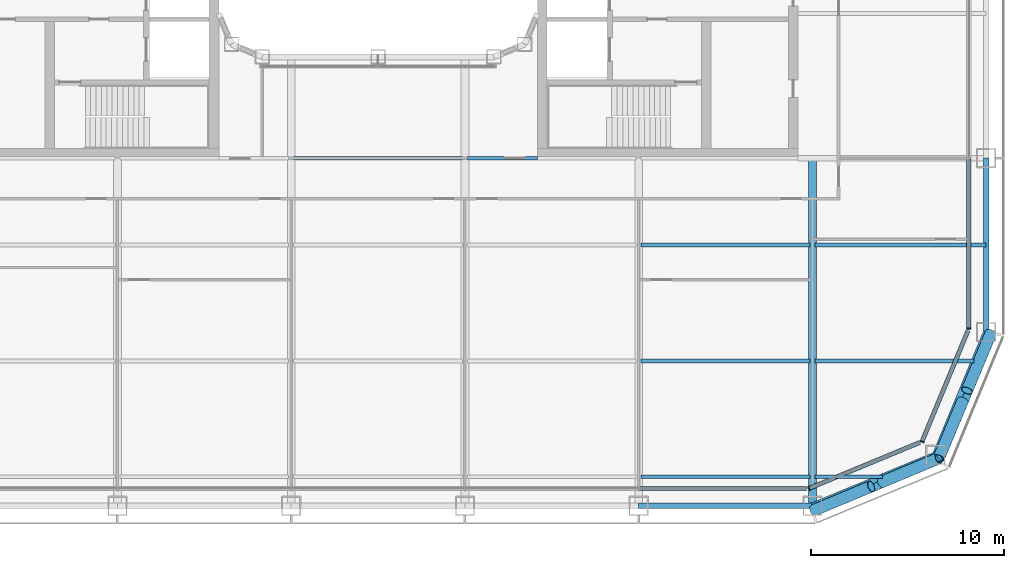
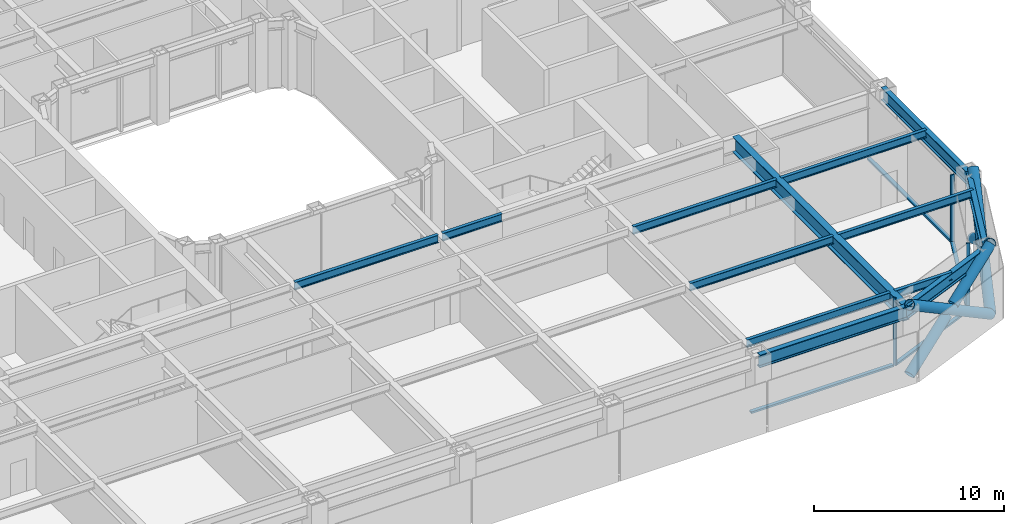
# One storey, part 4 of 25: 13 beams, 13 members, 4 elements without a shape of their own.
"""IFC4 building model written with IfcOpenShell, lengths in metres."""

from ifc_helpers import new_model, si_unit, direction, frame, origin, origin_2d, place, context, subcontext, project, spatial, rectangle, hollow_circle, i_section, extrude, material, layer, layer_set, material_profile, profile_set, type_object, element, aggregate, save


model = new_model("IFC4")

# Units and contexts
model_context = context("Model", 3, precision=1e-05, world=origin(), true_north=direction((0.0, 1.0)))
body_context = subcontext(model_context, "Body", "Model", "MODEL_VIEW")
ifc_project = project(units=[si_unit("LENGTHUNIT", "METRE"), si_unit("AREAUNIT", "SQUARE_METRE"), si_unit("VOLUMEUNIT", "CUBIC_METRE"), si_unit("PLANEANGLEUNIT", "RADIAN"), si_unit("MASSUNIT", "GRAM", prefix="KILO")], contexts=[model_context])

# Site, building, storey
site_placement = place(None, origin())
site = spatial("IfcSite", under=ifc_project, at=site_placement, CompositionType="ELEMENT")
building_placement = place(site_placement, origin())
building = spatial("IfcBuilding", under=site, at=building_placement, Name="Siwar Civic Tower", CompositionType="ELEMENT")
storey_placement = place(building_placement, frame((0.0, 0.0, 58.199951171875)))
storey = spatial("IfcBuildingStorey", under=building, at=storey_placement, Name="L12", CompositionType="ELEMENT", Elevation=58.199951171875)

# Curtain wall, member
ifc_material_1 = material(Name="Aluminium clad insulated panel", Category="aluminium")
ifc_layer_1 = layer(ifc_material_1, 0.219970703125)
ifc_layer_set_1 = layer_set([ifc_layer_1], Name="Aluminium clad insulated panel")
curtain_wall_type_1 = type_object("IfcCurtainWallType", Name="ENV-CW-AX", PredefinedType="NOTDEFINED", material=ifc_layer_set_1)
curtain_wall_1_placement = place(storey_placement, origin())
curtain_wall_1 = element("IfcCurtainWall", 1, at=curtain_wall_1_placement, inside=storey, type_object=curtain_wall_type_1, Name="Curtain wall A SE1", PredefinedType="NOTDEFINED")
ifc_material_2 = material(Name="Aluminium 6063-T6", Category="aluminium")
ifc_material_profile_1 = material_profile(ifc_material_2, rectangle(XDim=0.219970703125, YDim=0.070068359375, at=origin_2d()), Name="AL 220x70")
ifc_profile_set_1 = profile_set([ifc_material_profile_1], Name="Aluminium 6063-T6")
member_type_1 = type_object("IfcMemberType", Name="ENV-MULLION-A", PredefinedType="MULLION", material=ifc_profile_set_1)
member_1_placement = place(storey_placement, frame((22.321044921875, -30.60009765625, 0.0), z_axis=(0.0, 0.0, 1.0), x_axis=(-0.382683432365, 0.923879532511, 0.0)))
member_1 = element("IfcMember", 2, at=member_1_placement, type_object=member_type_1, Name="Mullion A SE1 1", PredefinedType="MULLION", context=body_context, shape_type="SweptSolid", body=[
    extrude(rectangle(XDim=0.219970703125, YDim=0.070068359375, at=origin_2d()), origin(), (0.0, 0.0, 1.0), 4.35009765625),
])

curtain_wall_2_placement = place(storey_placement, origin())
curtain_wall_2 = element("IfcCurtainWall", 3, at=curtain_wall_2_placement, inside=storey, type_object=curtain_wall_type_1, Name="Curtain wall A SE2", PredefinedType="NOTDEFINED")
member_2_placement = place(storey_placement, frame((28.175048828125, -28.175048828125, 0.0), z_axis=(0.0, 0.0, 1.0), x_axis=(-0.923879532511, 0.382683432365, 0.0)))
member_2 = element("IfcMember", 4, at=member_2_placement, type_object=member_type_1, Name="Mullion A SE2 1", PredefinedType="MULLION", context=body_context, shape_type="SweptSolid", body=[
    extrude(rectangle(XDim=0.219970703125, YDim=0.070068359375, at=origin_2d()), origin(), (0.0, 0.0, 1.0), 4.35009765625),
])

ifc_material_3 = material(Name="Aluminium and glass", Category="aluminium")
ifc_layer_2 = layer(ifc_material_3, 0.219970703125)
ifc_layer_set_2 = layer_set([ifc_layer_2], Name="Aluminium and glass")
curtain_wall_type_2 = type_object("IfcCurtainWallType", Name="ENV-CW-A", PredefinedType="NOTDEFINED", material=ifc_layer_set_2)
curtain_wall_3_placement = place(storey_placement, origin())
curtain_wall_3 = element("IfcCurtainWall", 5, at=curtain_wall_3_placement, inside=storey, type_object=curtain_wall_type_2, Name="Curtain wall A E", PredefinedType="NOTDEFINED")
member_3_placement = place(storey_placement, frame((30.60009765625, -22.321044921875, 0.0), z_axis=(0.0, 0.0, 1.0), x_axis=(-1.0, 0.0, 0.0)))
member_3 = element("IfcMember", 6, at=member_3_placement, type_object=member_type_1, Name="Mullion A E 1", PredefinedType="MULLION", context=body_context, shape_type="SweptSolid", body=[
    extrude(rectangle(XDim=0.219970703125, YDim=0.070068359375, at=origin_2d()), origin(), (0.0, 0.0, 1.0), 4.35009765625),
])

curtain_wall_4_placement = place(storey_placement, origin())
curtain_wall_4 = element("IfcCurtainWall", 7, at=curtain_wall_4_placement, inside=storey, type_object=curtain_wall_type_2, Name="Curtain wall A S", PredefinedType="NOTDEFINED")
ifc_material_4 = material(Name="Aluminium 6063-T6", Category="aluminium")
ifc_material_profile_2 = material_profile(ifc_material_4, rectangle(XDim=0.219970703125, YDim=0.1201171875, at=origin_2d()), Name="AL 220x120")
ifc_profile_set_2 = profile_set([ifc_material_profile_2], Name="Aluminium 6063-T6")
member_type_2 = type_object("IfcMemberType", Name="ENV-TRANSOM-A", PredefinedType="USERDEFINED", material=ifc_profile_set_2)
member_4_placement = place(storey_placement, frame((13.534912109375, -30.60009765625, 0.06005859375), z_axis=(1.0, 0.0, 0.0), x_axis=(0.0, 1.0, 0.0)))
member_4 = element("IfcMember", 8, at=member_4_placement, type_object=member_type_2, Name="Transom A S 5", ObjectType="TRANSOM", PredefinedType="USERDEFINED", context=body_context, shape_type="SweptSolid", body=[
    extrude(rectangle(XDim=0.219970703125, YDim=0.1201171875, at=origin_2d()), origin(), (0.0, 0.0, 1.0), 8.66357421875),
])
aggregate(curtain_wall_4, [member_4])

# Member
member_5_placement = place(storey_placement, frame((22.353271484375, -30.586669921875, 0.06005859375), z_axis=(0.923873326341, 0.382698415042, 0.0), x_axis=(-0.382698415042, 0.923873326341, 0.0)))
member_5 = element("IfcMember", 9, at=member_5_placement, type_object=member_type_2, Name="Transom A SE1 1", ObjectType="TRANSOM", PredefinedType="USERDEFINED", context=body_context, shape_type="SweptSolid", body=[
    extrude(rectangle(XDim=0.219970703125, YDim=0.1201171875, at=origin_2d()), origin(), (0.0, 0.0, 1.0), 6.17919921875),
])

aggregate(curtain_wall_1, [member_1, member_5])

member_6_placement = place(storey_placement, frame((28.1884765625, -28.142822265625, 0.06005859375), z_axis=(0.382698415042, 0.923873326341, 0.0), x_axis=(-0.923873326341, 0.382698415042, 0.0)))
member_6 = element("IfcMember", 10, at=member_6_placement, type_object=member_type_2, Name="Transom A SE2 1", ObjectType="TRANSOM", PredefinedType="USERDEFINED", context=body_context, shape_type="SweptSolid", body=[
    extrude(rectangle(XDim=0.219970703125, YDim=0.1201171875, at=origin_2d()), origin(), (0.0, 0.0, 1.0), 6.17919921875),
])

aggregate(curtain_wall_2, [member_2, member_6])

member_7_placement = place(storey_placement, frame((30.60009765625, -22.285888671875, 0.06005859375), z_axis=(0.0, 1.0, 0.0), x_axis=(-1.0, 0.0, 0.0)))
member_7 = element("IfcMember", 11, at=member_7_placement, type_object=member_type_2, Name="Transom A E 1", ObjectType="TRANSOM", PredefinedType="USERDEFINED", context=body_context, shape_type="SweptSolid", body=[
    extrude(rectangle(XDim=0.219970703125, YDim=0.1201171875, at=origin_2d()), origin(), (0.0, 0.0, 1.0), 8.7509765625),
])

aggregate(curtain_wall_3, [member_3, member_7])

# Members
ifc_material_5 = material(Name="Steel S355", Category="steel")
ifc_material_profile_3 = material_profile(ifc_material_5, hollow_circle(Radius=0.304931640625, WallThickness=0.030029296875, at=origin_2d()), Name="CHS610x30")
ifc_profile_set_3 = profile_set([ifc_material_profile_3], Name="Steel S355")
member_type_3 = type_object("IfcMemberType", Name="STR-BR-CHS610x30", PredefinedType="BRACE", material=ifc_profile_set_3)
member_8_placement = place(storey_placement, frame((29.040771484375, -29.040771484375, 0.0), z_axis=(0.323905527954, 0.777554562952, 0.538975055633), x_axis=(-0.923108759191, 0.384538969033, 0.0)))
element("IfcMember", 12, at=member_8_placement, inside=storey, type_object=member_type_3, Name="L12/brc/ASE1-11-0-1", PredefinedType="BRACE", context=body_context, shape_type="SweptSolid", body=[
    extrude(hollow_circle(Radius=0.304931640625, WallThickness=0.030029296875, at=origin_2d()), origin(), (0.0, 0.0, 1.0), 8.34912109375),
])
member_9_placement = place(storey_placement, frame((31.7451171875, -22.548828125, 0.0), z_axis=(-0.323882123145, -0.777533059308, 0.539020140617), x_axis=(0.923114847559, -0.384524353215, 0.0)))
element("IfcMember", 13, at=member_9_placement, inside=storey, type_object=member_type_3, Name="L12/brc/ASE1-11-0-2", PredefinedType="BRACE", context=body_context, shape_type="SweptSolid", body=[
    extrude(hollow_circle(Radius=0.304931640625, WallThickness=0.030029296875, at=origin_2d()), origin(), (0.0, 0.0, 1.0), 3.843505859375),
])
member_10_placement = place(storey_placement, frame((30.285888671875, -26.052001953125, 2.428466796875), z_axis=(-0.323934068367, -0.777568797048, 0.538937366685), x_axis=(0.923099230484, -0.384561842466, 0.0)))
element("IfcMember", 14, at=member_10_placement, inside=storey, type_object=member_type_3, Name="L12/brc/ASE1-11-0-3", PredefinedType="BRACE", context=body_context, shape_type="SweptSolid", body=[
    extrude(hollow_circle(Radius=0.304931640625, WallThickness=0.030029296875, at=origin_2d()), origin(), (0.0, 0.0, 1.0), 3.84375),
])
member_11_placement = place(storey_placement, frame((29.040771484375, -29.040771484375, 0.0), z_axis=(-0.777554562952, -0.323905527954, 0.538975055633), x_axis=(0.384538969033, -0.923108759191, 0.0)))
element("IfcMember", 15, at=member_11_placement, inside=storey, type_object=member_type_3, Name="L12/brc/ASE1-11-0-0", PredefinedType="BRACE", context=body_context, shape_type="SweptSolid", body=[
    extrude(hollow_circle(Radius=0.304931640625, WallThickness=0.030029296875, at=origin_2d()), origin(), (0.0, 0.0, 1.0), 8.34912109375),
])
member_12_placement = place(storey_placement, frame((22.548828125, -31.7451171875, 0.0), z_axis=(0.777533059308, 0.323882123145, 0.539020140617), x_axis=(-0.384524353215, 0.923114847559, 0.0)))
element("IfcMember", 16, at=member_12_placement, inside=storey, type_object=member_type_3, Name="L12/brc/ASE1-11-0-4", PredefinedType="BRACE", context=body_context, shape_type="SweptSolid", body=[
    extrude(hollow_circle(Radius=0.304931640625, WallThickness=0.030029296875, at=origin_2d()), origin(), (0.0, 0.0, 1.0), 3.843505859375),
])
member_13_placement = place(storey_placement, frame((26.052001953125, -30.285888671875, 2.428466796875), z_axis=(0.777568797048, 0.323934068367, 0.538937366685), x_axis=(-0.384561842466, 0.923099230484, 0.0)))
element("IfcMember", 17, at=member_13_placement, inside=storey, type_object=member_type_3, Name="L12/brc/ASE1-11-0-5", PredefinedType="BRACE", context=body_context, shape_type="SweptSolid", body=[
    extrude(hollow_circle(Radius=0.304931640625, WallThickness=0.030029296875, at=origin_2d()), origin(), (0.0, 0.0, 1.0), 3.84375),
])

# Beams
ifc_material_6 = material(Name="Steel S355", Category="steel")
ifc_material_profile_4 = material_profile(ifc_material_6, i_section(OverallWidth=0.199951171875, OverallDepth=0.5, WebThickness=0.01025390625, FlangeThickness=0.01611328125, FilletRadius=0.02099609375, at=origin_2d()), Name="IPE500")
ifc_profile_set_4 = profile_set([ifc_material_profile_4], Name="Steel S355")
beam_type_1 = type_object("IfcBeamType", Name="STR-FB-IPE500", PredefinedType="JOIST", material=ifc_profile_set_4)
beam_1_placement = place(storey_placement, frame((13.6298828125, -30.0, 4.10009765625), z_axis=(1.0, 0.0, 0.0), x_axis=(0.0, 1.0, 0.0)))
element("IfcBeam", 18, at=beam_1_placement, inside=storey, type_object=beam_type_1, Name="L12/bm/F006", PredefinedType="JOIST", context=body_context, shape_type="SweptSolid", body=[
    extrude(i_section(OverallWidth=0.199951171875, OverallDepth=0.5, WebThickness=0.01025390625, FlangeThickness=0.01611328125, FilletRadius=0.02099609375, at=origin_2d()), origin(), (0.0, 0.0, 1.0), 8.740234375),
])
beam_2_placement = place(storey_placement, frame((22.6298828125, -30.0, 4.10009765625), z_axis=(1.0, 0.0, 0.0), x_axis=(0.0, 1.0, 0.0)))
element("IfcBeam", 19, at=beam_2_placement, inside=storey, type_object=beam_type_1, Name="L12/bm/F007", PredefinedType="JOIST", context=body_context, shape_type="SweptSolid", body=[
    extrude(i_section(OverallWidth=0.199951171875, OverallDepth=0.5, WebThickness=0.01025390625, FlangeThickness=0.01611328125, FilletRadius=0.02099609375, at=origin_2d()), origin(), (0.0, 0.0, 1.0), 3.491455078125),
])
beam_3_placement = place(storey_placement, frame((13.6298828125, -24.0, 4.10009765625), z_axis=(1.0, 0.0, 0.0), x_axis=(0.0, 1.0, 0.0)))
element("IfcBeam", 20, at=beam_3_placement, inside=storey, type_object=beam_type_1, Name="L12/bm/F013", PredefinedType="JOIST", context=body_context, shape_type="SweptSolid", body=[
    extrude(i_section(OverallWidth=0.199951171875, OverallDepth=0.5, WebThickness=0.01025390625, FlangeThickness=0.01611328125, FilletRadius=0.02099609375, at=origin_2d()), origin(), (0.0, 0.0, 1.0), 8.740234375),
])
beam_4_placement = place(storey_placement, frame((22.6298828125, -24.0, 4.10009765625), z_axis=(1.0, 0.0, 0.0), x_axis=(0.0, 1.0, 0.0)))
element("IfcBeam", 21, at=beam_4_placement, inside=storey, type_object=beam_type_1, Name="L12/bm/F014", PredefinedType="JOIST", context=body_context, shape_type="SweptSolid", body=[
    extrude(i_section(OverallWidth=0.199951171875, OverallDepth=0.5, WebThickness=0.01025390625, FlangeThickness=0.01611328125, FilletRadius=0.02099609375, at=origin_2d()), origin(), (0.0, 0.0, 1.0), 8.248779296875),
])
beam_5_placement = place(storey_placement, frame((13.6298828125, -18.0, 4.10009765625), z_axis=(1.0, 0.0, 0.0), x_axis=(0.0, 1.0, 0.0)))
element("IfcBeam", 22, at=beam_5_placement, inside=storey, type_object=beam_type_1, Name="L12/bm/F020", PredefinedType="JOIST", context=body_context, shape_type="SweptSolid", body=[
    extrude(i_section(OverallWidth=0.199951171875, OverallDepth=0.5, WebThickness=0.01025390625, FlangeThickness=0.01611328125, FilletRadius=0.02099609375, at=origin_2d()), origin(), (0.0, 0.0, 1.0), 8.740234375),
])
beam_6_placement = place(storey_placement, frame((22.6298828125, -18.0, 4.10009765625), z_axis=(1.0, 0.0, 0.0), x_axis=(0.0, 1.0, 0.0)))
element("IfcBeam", 23, at=beam_6_placement, inside=storey, type_object=beam_type_1, Name="L12/bm/F021", PredefinedType="JOIST", context=body_context, shape_type="SweptSolid", body=[
    extrude(i_section(OverallWidth=0.199951171875, OverallDepth=0.5, WebThickness=0.01025390625, FlangeThickness=0.01611328125, FilletRadius=0.02099609375, at=origin_2d()), origin(), (0.0, 0.0, 1.0), 8.8701171875),
])
beam_7_placement = place(storey_placement, frame((-4.3701171875, -13.5, 4.10009765625), z_axis=(1.0, 0.0, 0.0), x_axis=(0.0, 1.0, 0.0)))
element("IfcBeam", 24, at=beam_7_placement, inside=storey, type_object=beam_type_1, Name="L12/bm/F026", PredefinedType="JOIST", context=body_context, shape_type="SweptSolid", body=[
    extrude(i_section(OverallWidth=0.199951171875, OverallDepth=0.5, WebThickness=0.01025390625, FlangeThickness=0.01611328125, FilletRadius=0.02099609375, at=origin_2d()), origin(), (0.0, 0.0, 1.0), 8.740234375),
])
beam_8_placement = place(storey_placement, frame((4.6298828125, -13.5, 4.10009765625), z_axis=(1.0, 0.0, 0.0), x_axis=(0.0, 1.0, 0.0)))
element("IfcBeam", 25, at=beam_8_placement, inside=storey, type_object=beam_type_1, Name="L12/bm/F027", PredefinedType="JOIST", context=body_context, shape_type="SweptSolid", body=[
    extrude(i_section(OverallWidth=0.199951171875, OverallDepth=0.5, WebThickness=0.01025390625, FlangeThickness=0.01611328125, FilletRadius=0.02099609375, at=origin_2d()), origin(), (0.0, 0.0, 1.0), 3.6201171875),
])
ifc_material_7 = material(Name="Steel S355", Category="steel")
ifc_material_profile_5 = material_profile(ifc_material_7, i_section(OverallWidth=0.39990234375, OverallDepth=1.0, WebThickness=0.01611328125, FlangeThickness=0.0400390625, at=origin_2d()), Name="PG1000x400x16x40")
ifc_profile_set_5 = profile_set([ifc_material_profile_5], Name="Steel S355")
beam_type_2 = type_object("IfcBeamType", Name="STR-PG-PG1000x400x16x40", PredefinedType="BEAM", material=ifc_profile_set_5)
beam_9_placement = place(storey_placement, frame((22.5, -31.5, 3.85009765625), z_axis=(0.0, 1.0, 0.0), x_axis=(-1.0, 0.0, 0.0)))
element("IfcBeam", 26, at=beam_9_placement, inside=storey, type_object=beam_type_2, Name="L12/bm/G11", PredefinedType="BEAM", context=body_context, shape_type="SweptSolid", body=[
    extrude(i_section(OverallWidth=0.39990234375, OverallDepth=1.0, WebThickness=0.01611328125, FlangeThickness=0.0400390625, at=origin_2d()), origin(), (0.0, 0.0, 1.0), 18.0),
])
ifc_material_8 = material(Name="Steel S355", Category="steel")
ifc_material_profile_6 = material_profile(ifc_material_8, i_section(OverallWidth=0.302978515625, OverallDepth=0.81396484375, WebThickness=0.02099609375, FlangeThickness=0.0400390625, FilletRadius=0.030029296875, at=origin_2d()), Name="HEM800")
ifc_profile_set_6 = profile_set([ifc_material_profile_6], Name="Steel S355")
beam_type_3 = type_object("IfcBeamType", Name="STR-SB-HEM800", PredefinedType="BEAM", material=ifc_profile_set_6)
beam_10_placement = place(storey_placement, frame((13.5, -31.5, 3.943115234375), z_axis=(1.0, 0.0, 0.0), x_axis=(0.0, 1.0, 0.0)))
element("IfcBeam", 27, at=beam_10_placement, inside=storey, type_object=beam_type_3, Name="L12/bm/SS-4", PredefinedType="BEAM", context=body_context, shape_type="SweptSolid", body=[
    extrude(i_section(OverallWidth=0.302978515625, OverallDepth=0.81396484375, WebThickness=0.02099609375, FlangeThickness=0.0400390625, FilletRadius=0.030029296875, at=origin_2d()), origin(), (0.0, 0.0, 1.0), 9.0),
])
for number, where, z_axis, x_axis, name in (
    (28, (22.5, -31.5, 3.943115234375), (0.923883353507, 0.382674207535, 0.0), (-0.382674207535, 0.923883353507, 0.0), "L12/bm/SSE1-0"),
    (29, (28.864013671875, -28.864013671875, 3.943115234375), (0.382674207535, 0.923883353507, 0.0), (-0.923883353507, 0.382674207535, 0.0), "L12/bm/SSE2-0"),
):
    element("IfcBeam", number, at=place(storey_placement, frame(where, z_axis=z_axis, x_axis=x_axis)), inside=storey, type_object=beam_type_3, Name=name, PredefinedType="BEAM", context=body_context, shape_type="SweptSolid", body=[
        extrude(i_section(OverallWidth=0.302978515625, OverallDepth=0.81396484375, WebThickness=0.02099609375, FlangeThickness=0.0400390625, FilletRadius=0.030029296875, at=origin_2d()), origin(), (0.0, 0.0, 1.0), 6.888427734375),
    ])
beam_11_placement = place(storey_placement, frame((31.5, -22.5, 3.943115234375), z_axis=(0.0, 1.0, 0.0), x_axis=(-1.0, 0.0, 0.0)))
element("IfcBeam", 30, at=beam_11_placement, inside=storey, type_object=beam_type_3, Name="L12/bm/SE-0", PredefinedType="BEAM", context=body_context, shape_type="SweptSolid", body=[
    extrude(i_section(OverallWidth=0.302978515625, OverallDepth=0.81396484375, WebThickness=0.02099609375, FlangeThickness=0.0400390625, FilletRadius=0.030029296875, at=origin_2d()), origin(), (0.0, 0.0, 1.0), 9.0),
])

save(model, "model.ifc")
